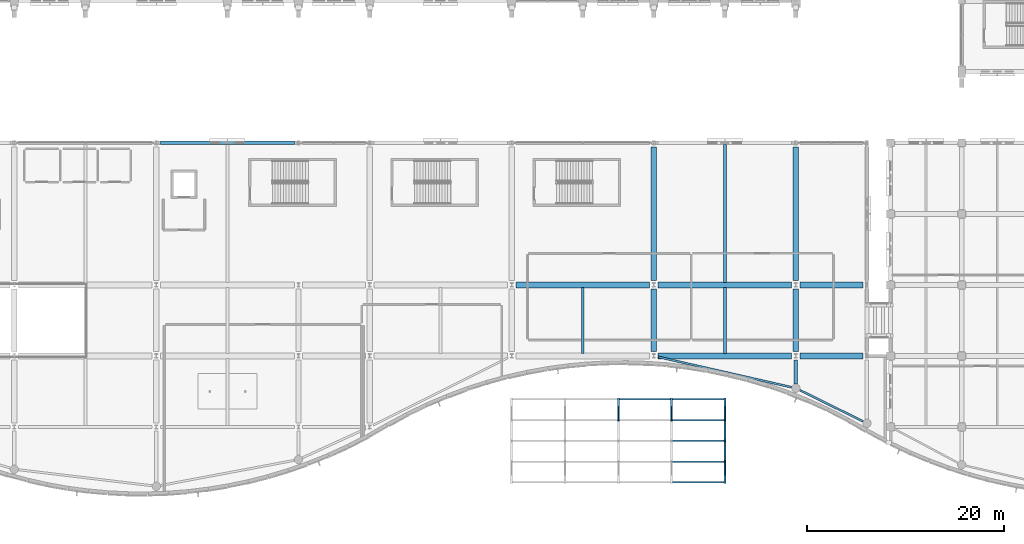
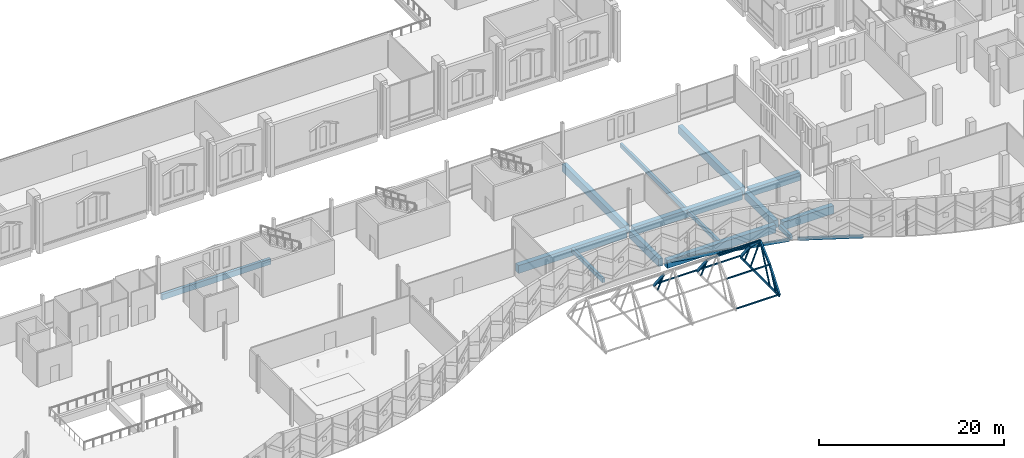
# One storey, part 38 of 220: 19 members, 16 beams.
"""IFC4 building model written with IfcOpenShell, lengths in metres."""

from ifc_helpers import new_model, si_unit, direction, frame, origin, origin_2d, place, context, subcontext, project, spatial, rectangle, hollow_rectangle, hollow_circle, extrude, material, material_profile, profile_set, type_object, element, save


model = new_model("IFC4")

# Units and contexts
model_context = context("Model", 3, precision=1e-05, world=origin(), true_north=direction((0.0, 1.0)))
body_context = subcontext(model_context, "Body", "Model", "MODEL_VIEW")
ifc_project = project(units=[si_unit("LENGTHUNIT", "METRE"), si_unit("AREAUNIT", "SQUARE_METRE"), si_unit("VOLUMEUNIT", "CUBIC_METRE"), si_unit("PLANEANGLEUNIT", "RADIAN"), si_unit("MASSUNIT", "GRAM", prefix="KILO")], contexts=[model_context])

# Site, building, storey
site_placement = place(None, origin())
site = spatial("IfcSite", under=ifc_project, at=site_placement, CompositionType="ELEMENT")
building_placement = place(site_placement, origin())
building = spatial("IfcBuilding", under=site, at=building_placement, Name="Cendralis Lancet Convention Centre", CompositionType="ELEMENT")
storey_placement = place(building_placement, frame((0.0, 0.0, 5.39990234375)))
storey = spatial("IfcBuildingStorey", under=building, at=storey_placement, Name="L01", CompositionType="ELEMENT", Elevation=5.39990234375)

# Beams
ifc_material_1 = material(Name="Concrete G40 (C40/50)", Category="concrete")
ifc_material_profile_1 = material_profile(ifc_material_1, rectangle(XDim=0.60009765625, YDim=1.050048828125, at=origin_2d()), Name="RCB 600x1050")
ifc_profile_set_1 = profile_set([ifc_material_profile_1], Name="Concrete G40 (C40/50)")
beam_type_1 = type_object("IfcBeamType", Name="STR-BM-BG03", PredefinedType="BEAM", material=ifc_profile_set_1)
beam_1_placement = place(storey_placement, frame((108.425048828125, 14.39990234375, -0.804931640625), z_axis=(1.0, 0.0, 0.0), x_axis=(0.0, 1.0, 0.0)))
element("IfcBeam", 1, at=beam_1_placement, inside=storey, type_object=beam_type_1, Name="L01 Beam BG03 #0750", PredefinedType="BEAM", context=body_context, shape_type="SweptSolid", body=[
    extrude(rectangle(XDim=0.60009765625, YDim=1.050048828125, at=origin_2d()), origin(), (0.0, 0.0, 1.0), 13.550048828125),
])
beam_2_placement = place(storey_placement, frame((122.824951171875, 14.39990234375, -0.804931640625), z_axis=(1.0, 0.0, 0.0), x_axis=(0.0, 1.0, 0.0)))
element("IfcBeam", 2, at=beam_2_placement, inside=storey, type_object=beam_type_1, Name="L01 Beam BG03 #0751", PredefinedType="BEAM", context=body_context, shape_type="SweptSolid", body=[
    extrude(rectangle(XDim=0.60009765625, YDim=1.050048828125, at=origin_2d()), origin(), (0.0, 0.0, 1.0), 6.35009765625),
])
for number, where, z_axis, x_axis, name in (
    (3, (94.02490234375, 21.60009765625, -0.804931640625), (1.0, 0.0, 0.0), (0.0, 1.0, 0.0), "L01 Beam BG03 #0759"),
    (4, (108.425048828125, 21.60009765625, -0.804931640625), (1.0, 0.0, 0.0), (0.0, 1.0, 0.0), "L01 Beam BG03 #0760"),
):
    element("IfcBeam", number, at=place(storey_placement, frame(where, z_axis=z_axis, x_axis=x_axis)), inside=storey, type_object=beam_type_1, Name=name, PredefinedType="BEAM", context=body_context, shape_type="SweptSolid", body=[
        extrude(rectangle(XDim=0.60009765625, YDim=1.050048828125, at=origin_2d()), origin(), (0.0, 0.0, 1.0), 13.550048828125),
    ])
beam_3_placement = place(storey_placement, frame((122.824951171875, 21.60009765625, -0.804931640625), z_axis=(1.0, 0.0, 0.0), x_axis=(0.0, 1.0, 0.0)))
element("IfcBeam", 5, at=beam_3_placement, inside=storey, type_object=beam_type_1, Name="L01 Beam BG03 #0761", PredefinedType="BEAM", context=body_context, shape_type="SweptSolid", body=[
    extrude(rectangle(XDim=0.60009765625, YDim=1.050048828125, at=origin_2d()), origin(), (0.0, 0.0, 1.0), 6.35009765625),
])
ifc_material_profile_2 = material_profile(ifc_material_1, rectangle(XDim=0.550048828125, YDim=1.0, at=origin_2d()), Name="RCB 550x1000")
ifc_profile_set_2 = profile_set([ifc_material_profile_2], Name="Concrete G40 (C40/50)")
beam_type_2 = type_object("IfcBeamType", Name="STR-BM-BG05", PredefinedType="BEAM", material=ifc_profile_set_2)
beam_4_placement = place(storey_placement, frame((108.0, 14.824951171875, -0.77978515625), z_axis=(0.0, 1.0, 0.0), x_axis=(-1.0, 0.0, 0.0)))
element("IfcBeam", 6, at=beam_4_placement, inside=storey, type_object=beam_type_2, Name="L01 Beam BG05 #0793", PredefinedType="BEAM", context=body_context, shape_type="SweptSolid", body=[
    extrude(rectangle(XDim=0.550048828125, YDim=1.0, at=origin_2d()), origin(), (0.0, 0.0, 1.0), 6.35009765625),
])
beam_5_placement = place(storey_placement, frame((108.0, 22.02490234375, -0.77978515625), z_axis=(0.0, 1.0, 0.0), x_axis=(-1.0, 0.0, 0.0)))
element("IfcBeam", 7, at=beam_5_placement, inside=storey, type_object=beam_type_2, Name="L01 Beam BG05 #0794", PredefinedType="BEAM", context=body_context, shape_type="SweptSolid", body=[
    extrude(rectangle(XDim=0.550048828125, YDim=1.0, at=origin_2d()), origin(), (0.0, 0.0, 1.0), 13.550048828125),
])
beam_6_placement = place(storey_placement, frame((122.39990234375, 14.824951171875, -0.77978515625), z_axis=(0.0, 1.0, 0.0), x_axis=(-1.0, 0.0, 0.0)))
element("IfcBeam", 8, at=beam_6_placement, inside=storey, type_object=beam_type_2, Name="L01 Beam BG05 #0795", PredefinedType="BEAM", context=body_context, shape_type="SweptSolid", body=[
    extrude(rectangle(XDim=0.550048828125, YDim=1.0, at=origin_2d()), origin(), (0.0, 0.0, 1.0), 6.35009765625),
])
beam_7_placement = place(storey_placement, frame((122.39990234375, 22.02490234375, -0.77978515625), z_axis=(0.0, 1.0, 0.0), x_axis=(-1.0, 0.0, 0.0)))
element("IfcBeam", 9, at=beam_7_placement, inside=storey, type_object=beam_type_2, Name="L01 Beam BG05 #0796", PredefinedType="BEAM", context=body_context, shape_type="SweptSolid", body=[
    extrude(rectangle(XDim=0.550048828125, YDim=1.0, at=origin_2d()), origin(), (0.0, 0.0, 1.0), 13.550048828125),
])
ifc_material_2 = material(Name="Concrete G35 (C35/45)", Category="concrete")
ifc_material_profile_3 = material_profile(ifc_material_2, rectangle(XDim=0.35009765625, YDim=0.60009765625, at=origin_2d()), Name="RCB 350x600")
ifc_profile_set_3 = profile_set([ifc_material_profile_3], Name="Concrete G35 (C35/45)")
beam_type_3 = type_object("IfcBeamType", Name="STR-BM-BG16", PredefinedType="BEAM", material=ifc_profile_set_3)
beam_8_placement = place(storey_placement, frame((122.39990234375, 11.576904296875, -0.579833984375), z_axis=(0.0, 1.0, 0.0), x_axis=(-1.0, 0.0, 0.0)))
element("IfcBeam", 10, at=beam_8_placement, inside=storey, type_object=beam_type_3, Name="L01 Beam BG16 #1051", PredefinedType="BEAM", context=body_context, shape_type="SweptSolid", body=[
    extrude(rectangle(XDim=0.35009765625, YDim=0.60009765625, at=origin_2d()), origin(), (0.0, 0.0, 1.0), 2.398193359375),
])

# Members
ifc_material_3 = material(Name="Steel S355", Category="steel")
ifc_material_profile_4 = material_profile(ifc_material_3, hollow_rectangle(XDim=0.199951171875, YDim=0.300048828125, WallThickness=0.012451171875, at=origin_2d()), Name="RHS 300x200x12.5")
ifc_profile_set_4 = profile_set([ifc_material_profile_4], Name="Steel S355")
member_type_1 = type_object("IfcMemberType", Name="STR-CN-AR01", PredefinedType="RAFTER", material=ifc_profile_set_4)
for number, where, z_axis, x_axis, name in (
    (11, (104.39990234375, 7.89990234375, 3.068115234375), (0.0, 0.611413110875, -0.791311574445), (-1.0, 0.0, 0.0), "Entrance Canopy Pointed-Arch Rib AR01 N2-03"),
    (12, (109.800048828125, 7.89990234375, 3.068115234375), (0.0, 0.611413110875, -0.791311574445), (-1.0, 0.0, 0.0), "Entrance Canopy Pointed-Arch Rib AR01 N2-04"),
):
    element("IfcMember", number, at=place(storey_placement, frame(where, z_axis=z_axis, x_axis=x_axis)), inside=storey, type_object=member_type_1, Name=name, PredefinedType="RAFTER", context=body_context, shape_type="SweptSolid", body=[
        extrude(hollow_rectangle(XDim=0.199951171875, YDim=0.300048828125, WallThickness=0.012451171875, at=origin_2d()), origin(), (0.0, 0.0, 1.0), 3.434814453125),
    ])
member_1_placement = place(storey_placement, frame((115.199951171875, 1.60009765625, 0.35009765625), z_axis=(0.0, 0.611368600766, 0.791345963531), x_axis=(-1.0, 0.0, 0.0)))
element("IfcMember", 13, at=member_1_placement, inside=storey, type_object=member_type_1, Name="Entrance Canopy Pointed-Arch Rib AR01 S1-05", PredefinedType="RAFTER", context=body_context, shape_type="SweptSolid", body=[
    extrude(hollow_rectangle(XDim=0.199951171875, YDim=0.300048828125, WallThickness=0.012451171875, at=origin_2d()), origin(), (0.0, 0.0, 1.0), 3.4345703125),
])
member_2_placement = place(storey_placement, frame((115.199951171875, 3.699951171875, 3.068115234375), z_axis=(0.0, 0.732478000347, 0.680790701323), x_axis=(-1.0, 0.0, 0.0)))
element("IfcMember", 14, at=member_2_placement, inside=storey, type_object=member_type_1, Name="Entrance Canopy Pointed-Arch Rib AR01 S2-05", PredefinedType="RAFTER", context=body_context, shape_type="SweptSolid", body=[
    extrude(hollow_rectangle(XDim=0.199951171875, YDim=0.300048828125, WallThickness=0.012451171875, at=origin_2d()), origin(), (0.0, 0.0, 1.0), 2.8671875),
])
member_3_placement = place(storey_placement, frame((115.199951171875, 5.800048828125, 5.02001953125), z_axis=(0.0, 0.732438530721, -0.680833165111), x_axis=(-1.0, 0.0, 0.0)))
element("IfcMember", 15, at=member_3_placement, inside=storey, type_object=member_type_1, Name="Entrance Canopy Pointed-Arch Rib AR01 N1-05", PredefinedType="RAFTER", context=body_context, shape_type="SweptSolid", body=[
    extrude(hollow_rectangle(XDim=0.199951171875, YDim=0.300048828125, WallThickness=0.012451171875, at=origin_2d()), origin(), (0.0, 0.0, 1.0), 2.866943359375),
])
member_4_placement = place(storey_placement, frame((115.199951171875, 7.89990234375, 3.068115234375), z_axis=(0.0, 0.611413110875, -0.791311574445), x_axis=(-1.0, 0.0, 0.0)))
element("IfcMember", 16, at=member_4_placement, inside=storey, type_object=member_type_1, Name="Entrance Canopy Pointed-Arch Rib AR01 N2-05", PredefinedType="RAFTER", context=body_context, shape_type="SweptSolid", body=[
    extrude(hollow_rectangle(XDim=0.199951171875, YDim=0.300048828125, WallThickness=0.012451171875, at=origin_2d()), origin(), (0.0, 0.0, 1.0), 3.434814453125),
])
ifc_material_profile_5 = material_profile(ifc_material_3, hollow_rectangle(XDim=0.14990234375, YDim=0.14990234375, WallThickness=0.008056640625, at=origin_2d()), Name="SHS 150x150x8.0")
ifc_profile_set_5 = profile_set([ifc_material_profile_5], Name="Steel S355")
member_type_2 = type_object("IfcMemberType", Name="STR-CN-PR04", PredefinedType="PURLIN", material=ifc_profile_set_5)
member_5_placement = place(storey_placement, frame((104.39990234375, 10.0, 0.5), z_axis=(1.0, 0.0, 0.0), x_axis=(0.0, 1.0, 0.0)))
element("IfcMember", 17, at=member_5_placement, inside=storey, type_object=member_type_2, Name="Canopy Purlin PR04 03-10.0", PredefinedType="PURLIN", context=body_context, shape_type="SweptSolid", body=[
    extrude(hollow_rectangle(XDim=0.14990234375, YDim=0.14990234375, WallThickness=0.008056640625, at=origin_2d()), origin(), (0.0, 0.0, 1.0), 5.400146484375),
])
for number, where, z_axis, x_axis, name in (
    (18, (109.800048828125, 1.60009765625, 0.5), (1.0, 0.0, 0.0), (0.0, 1.0, 0.0), "Canopy Purlin PR04 04-1.6"),
    (19, (109.800048828125, 3.699951171875, 3.168212890625), (1.0, 0.0, 0.0), (0.0, 1.0, 0.0), "Canopy Purlin PR04 04-3.7"),
    (20, (109.800048828125, 5.800048828125, 5.10009765625), (1.0, 0.0, 0.0), (0.0, 1.0, 0.0), "Canopy Purlin PR04 04-5.8"),
    (21, (109.800048828125, 7.89990234375, 3.168212890625), (1.0, 0.0, 0.0), (0.0, 1.0, 0.0), "Canopy Purlin PR04 04-7.9"),
    (22, (109.800048828125, 10.0, 0.5), (1.0, 0.0, 0.0), (0.0, 1.0, 0.0), "Canopy Purlin PR04 04-10.0"),
):
    element("IfcMember", number, at=place(storey_placement, frame(where, z_axis=z_axis, x_axis=x_axis)), inside=storey, type_object=member_type_2, Name=name, PredefinedType="PURLIN", context=body_context, shape_type="SweptSolid", body=[
        extrude(hollow_rectangle(XDim=0.14990234375, YDim=0.14990234375, WallThickness=0.008056640625, at=origin_2d()), origin(), (0.0, 0.0, 1.0), 5.39990234375),
    ])
ifc_material_profile_6 = material_profile(ifc_material_3, hollow_rectangle(XDim=0.14990234375, YDim=0.25, WallThickness=0.010009765625, at=origin_2d()), Name="RHS 250x150x10.0")
ifc_profile_set_6 = profile_set([ifc_material_profile_6], Name="Steel S355")
member_type_3 = type_object("IfcMemberType", Name="STR-CN-ST03", PredefinedType="STRUT", material=ifc_profile_set_6)
member_6_placement = place(storey_placement, frame((115.199951171875, 1.60009765625, 0.280029296875), z_axis=(0.0, 1.0, 0.0), x_axis=(-1.0, 0.0, 0.0)))
element("IfcMember", 23, at=member_6_placement, inside=storey, type_object=member_type_3, Name="Entrance Canopy Tie Strut ST03 05", PredefinedType="STRUT", context=body_context, shape_type="SweptSolid", body=[
    extrude(hollow_rectangle(XDim=0.14990234375, YDim=0.25, WallThickness=0.010009765625, at=origin_2d()), origin(), (0.0, 0.0, 1.0), 8.39990234375),
])

# Beams
ifc_material_profile_7 = material_profile(ifc_material_2, rectangle(XDim=0.300048828125, YDim=0.550048828125, at=origin_2d()), Name="RCB 300x550")
ifc_profile_set_7 = profile_set([ifc_material_profile_7], Name="Concrete G35 (C35/45)")
beam_type_4 = type_object("IfcBeamType", Name="STR-JS-BJ02", PredefinedType="JOIST", material=ifc_profile_set_7)
for number, where, z_axis, x_axis, name in (
    (24, (100.800048828125, 14.64990234375, -0.554931640625), (0.0, 1.0, 0.0), (-1.0, 0.0, 0.0), "L01 Beam BJ02 #0813"),
    (25, (115.199951171875, 14.64990234375, -0.554931640625), (0.0, 1.0, 0.0), (-1.0, 0.0, 0.0), "L01 Beam BJ02 #0814"),
):
    element("IfcBeam", number, at=place(storey_placement, frame(where, z_axis=z_axis, x_axis=x_axis)), inside=storey, type_object=beam_type_4, Name=name, PredefinedType="JOIST", context=body_context, shape_type="SweptSolid", body=[
        extrude(rectangle(XDim=0.300048828125, YDim=0.550048828125, at=origin_2d()), origin(), (0.0, 0.0, 1.0), 6.7001953125),
    ])
beam_9_placement = place(storey_placement, frame((115.199951171875, 21.85009765625, -0.554931640625), z_axis=(0.0, 1.0, 0.0), x_axis=(-1.0, 0.0, 0.0)))
element("IfcBeam", 26, at=beam_9_placement, inside=storey, type_object=beam_type_4, Name="L01 Beam BJ02 #0815", PredefinedType="JOIST", context=body_context, shape_type="SweptSolid", body=[
    extrude(rectangle(XDim=0.300048828125, YDim=0.550048828125, at=origin_2d()), origin(), (0.0, 0.0, 1.0), 13.974853515625),
])
ifc_material_profile_8 = material_profile(ifc_material_1, rectangle(XDim=0.35009765625, YDim=0.75, at=origin_2d()), Name="RCB 350x750")
ifc_profile_set_8 = profile_set([ifc_material_profile_8], Name="Concrete G40 (C40/50)")
beam_type_5 = type_object("IfcBeamType", Name="STR-SP-SP01", PredefinedType="SPANDREL", material=ifc_profile_set_8)
beam_10_placement = place(storey_placement, frame((58.02490234375, 36.0, -0.65478515625), z_axis=(1.0, 0.0, 0.0), x_axis=(0.0, 1.0, 0.0)))
element("IfcBeam", 27, at=beam_10_placement, inside=storey, type_object=beam_type_5, Name="L01 Beam SP01 #0766", PredefinedType="SPANDREL", context=body_context, shape_type="SweptSolid", body=[
    extrude(rectangle(XDim=0.35009765625, YDim=0.75, at=origin_2d()), origin(), (0.0, 0.0, 1.0), 13.550048828125),
])
ifc_material_profile_9 = material_profile(ifc_material_3, hollow_rectangle(XDim=0.199951171875, YDim=0.39990234375, WallThickness=0.01416015625, at=origin_2d()), Name="RHS 400x200x14.2")
ifc_profile_set_9 = profile_set([ifc_material_profile_9], Name="Steel S355")
beam_type_6 = type_object("IfcBeamType", Name="STR-SP-SP03", PredefinedType="SPANDREL", material=ifc_profile_set_9)
beam_11_placement = place(storey_placement, frame((108.414306640625, 14.305908203125, -0.47998046875), z_axis=(0.975124914238, -0.221656043528, 0.0), x_axis=(0.221656043528, 0.975124914238, 0.0)))
element("IfcBeam", 28, at=beam_11_placement, inside=storey, type_object=beam_type_6, Name="L01 Beam SP03 #1065", PredefinedType="SPANDREL", context=body_context, shape_type="SweptSolid", body=[
    extrude(hollow_rectangle(XDim=0.199951171875, YDim=0.39990234375, WallThickness=0.01416015625, at=origin_2d()), origin(), (0.0, 0.0, 1.0), 13.892333984375),
])
beam_12_placement = place(storey_placement, frame((122.803466796875, 10.927734375, -0.47998046875), z_axis=(0.896702963245, -0.442632800081, 0.0), x_axis=(0.442632800081, 0.896702963245, 0.0)))
element("IfcBeam", 29, at=beam_12_placement, inside=storey, type_object=beam_type_6, Name="L01 Beam SP03 #1066", PredefinedType="SPANDREL", context=body_context, shape_type="SweptSolid", body=[
    extrude(hollow_rectangle(XDim=0.199951171875, YDim=0.39990234375, WallThickness=0.01416015625, at=origin_2d()), origin(), (0.0, 0.0, 1.0), 7.129638671875),
])

# Members
ifc_material_profile_10 = material_profile(ifc_material_3, hollow_circle(Radius=0.096923828125, WallThickness=0.008056640625, at=origin_2d()), Name="CHS 193.7x8.0")
ifc_profile_set_10 = profile_set([ifc_material_profile_10], Name="Steel S355")
member_type_4 = type_object("IfcMemberType", Name="STR-TR-WD02", PredefinedType="BRACE", material=ifc_profile_set_10)
for number, where, z_axis, x_axis, name in (
    (30, (104.39990234375, 9.199951171875, 0.280029296875), (0.0, -0.422603043256, 0.906314883377), (1.0, 0.0, 0.0), "Entrance Canopy Gothic Tracery Web WD02 SR-03"),
    (31, (109.800048828125, 9.199951171875, 0.280029296875), (0.0, -0.422603043256, 0.906314883377), (1.0, 0.0, 0.0), "Entrance Canopy Gothic Tracery Web WD02 SR-04"),
):
    element("IfcMember", number, at=place(storey_placement, frame(where, z_axis=z_axis, x_axis=x_axis)), inside=storey, type_object=member_type_4, Name=name, PredefinedType="BRACE", context=body_context, shape_type="SweptSolid", body=[
        extrude(hollow_circle(Radius=0.096923828125, WallThickness=0.008056640625, at=origin_2d()), origin(), (0.0, 0.0, 1.0), 3.076171875),
    ])
for number, where, z_axis, x_axis, name in (
    (32, (115.199951171875, 3.699951171875, 0.280029296875), (0.0, 0.405080820759, 0.914280880612), (-1.0, 0.0, 0.0), "Entrance Canopy Gothic Tracery Web WD02 WL-05"),
    (33, (115.199951171875, 7.89990234375, 0.280029296875), (0.0, -0.405041455424, 0.914298320784), (1.0, 0.0, 0.0), "Entrance Canopy Gothic Tracery Web WD02 WR-05"),
):
    element("IfcMember", number, at=place(storey_placement, frame(where, z_axis=z_axis, x_axis=x_axis)), inside=storey, type_object=member_type_4, Name=name, PredefinedType="BRACE", context=body_context, shape_type="SweptSolid", body=[
        extrude(hollow_circle(Radius=0.096923828125, WallThickness=0.008056640625, at=origin_2d()), origin(), (0.0, 0.0, 1.0), 5.184326171875),
    ])
for number, where, z_axis, x_axis, name in (
    (34, (115.199951171875, 2.39990234375, 0.280029296875), (0.0, 0.422603043256, 0.906314883377), (-1.0, 0.0, 0.0), "Entrance Canopy Gothic Tracery Web WD02 SL-05"),
    (35, (115.199951171875, 9.199951171875, 0.280029296875), (0.0, -0.422603043256, 0.906314883377), (1.0, 0.0, 0.0), "Entrance Canopy Gothic Tracery Web WD02 SR-05"),
):
    element("IfcMember", number, at=place(storey_placement, frame(where, z_axis=z_axis, x_axis=x_axis)), inside=storey, type_object=member_type_4, Name=name, PredefinedType="BRACE", context=body_context, shape_type="SweptSolid", body=[
        extrude(hollow_circle(Radius=0.096923828125, WallThickness=0.008056640625, at=origin_2d()), origin(), (0.0, 0.0, 1.0), 3.076171875),
    ])

save(model, "model.ifc")
